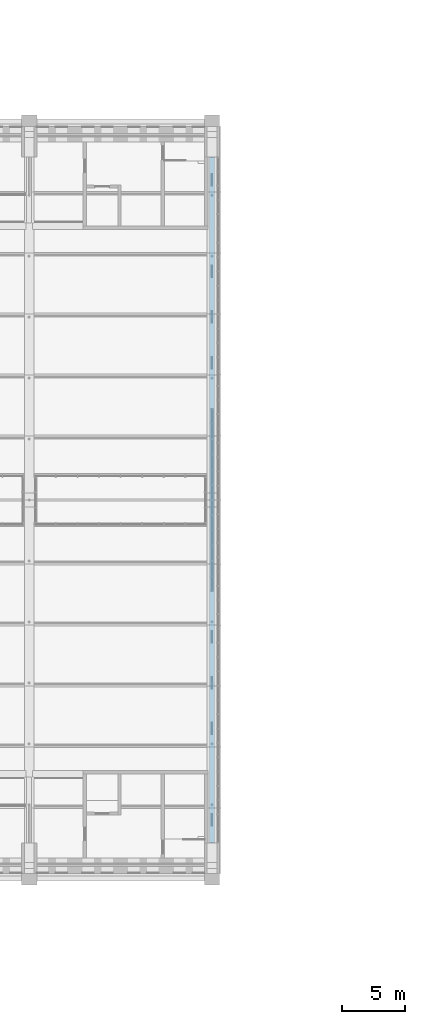
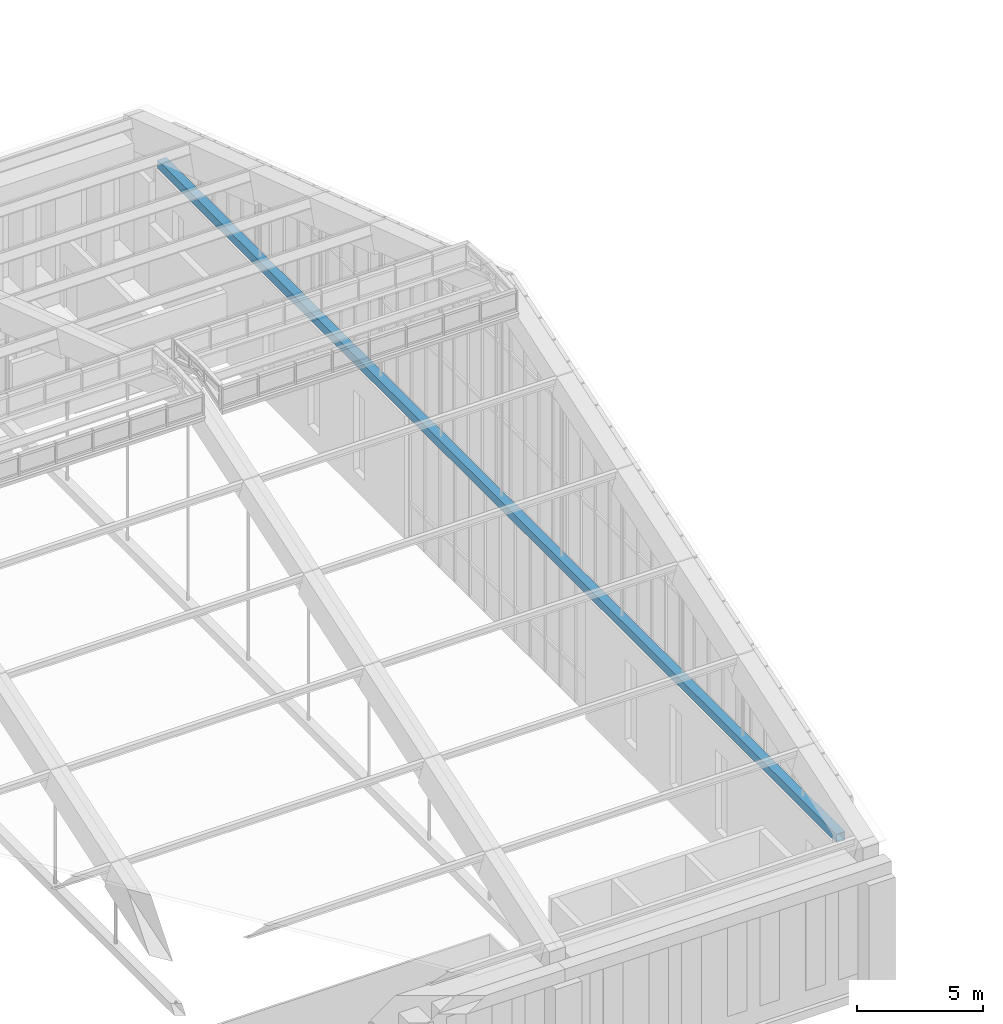
# One storey, part 96 of 149: 1 member.
"""IFC4 building model written with IfcOpenShell, lengths in metres."""

from ifc_helpers import new_model, si_unit, direction, frame, origin, origin_2d, place, context, subcontext, project, spatial, hollow_rectangle, extrude, material, material_profile, profile_set, type_object, element, save


model = new_model("IFC4")

# Units and contexts
model_context = context("Model", 3, precision=1e-05, world=origin(), true_north=direction((0.0, 1.0)))
body_context = subcontext(model_context, "Body", "Model", "MODEL_VIEW")
ifc_project = project(units=[si_unit("LENGTHUNIT", "METRE"), si_unit("AREAUNIT", "SQUARE_METRE"), si_unit("VOLUMEUNIT", "CUBIC_METRE"), si_unit("PLANEANGLEUNIT", "RADIAN"), si_unit("MASSUNIT", "GRAM", prefix="KILO")], contexts=[model_context])

# Site, building, storey
site_placement = place(None, origin())
site = spatial("IfcSite", under=ifc_project, at=site_placement, CompositionType="ELEMENT")
building_placement = place(site_placement, origin())
building = spatial("IfcBuilding", under=site, at=building_placement, Name="Alderwick Market Hall", CompositionType="ELEMENT")
storey_placement = place(building_placement, frame((0.0, 0.0, 9.60009765625)))
storey = spatial("IfcBuildingStorey", under=building, at=storey_placement, Name="L01", CompositionType="ELEMENT", Elevation=9.60009765625)

# Member
ifc_material = material(Name="Steel ASTM A500 Grade C", Category="steel")
ifc_material_profile = material_profile(ifc_material, hollow_rectangle(XDim=0.406494140625, YDim=0.406494140625, WallThickness=0.0146484375, at=origin_2d()), Name="HSS16x16x5/8")
ifc_profile_set = profile_set([ifc_material_profile], Name="Steel ASTM A500 Grade C")
member_type = type_object("IfcMemberType", Name="R Tie HSS16x16x5/8", PredefinedType="USERDEFINED", material=ifc_profile_set)
member_placement = place(storey_placement, frame((151.199951171875, 52.199951171875, 6.14990234375), z_axis=(0.0, 1.0, 0.0), x_axis=(-1.0, 0.0, 0.0)))
element("IfcMember", 1, at=member_placement, inside=storey, type_object=member_type, Name="Arch tie 8", ObjectType="TIE", PredefinedType="USERDEFINED", context=body_context, shape_type="SweptSolid", body=[
    extrude(hollow_rectangle(XDim=0.406494140625, YDim=0.406494140625, WallThickness=0.0146484375, at=origin_2d()), origin(), (0.0, 0.0, 1.0), 54.0),
])

save(model, "model.ifc")
